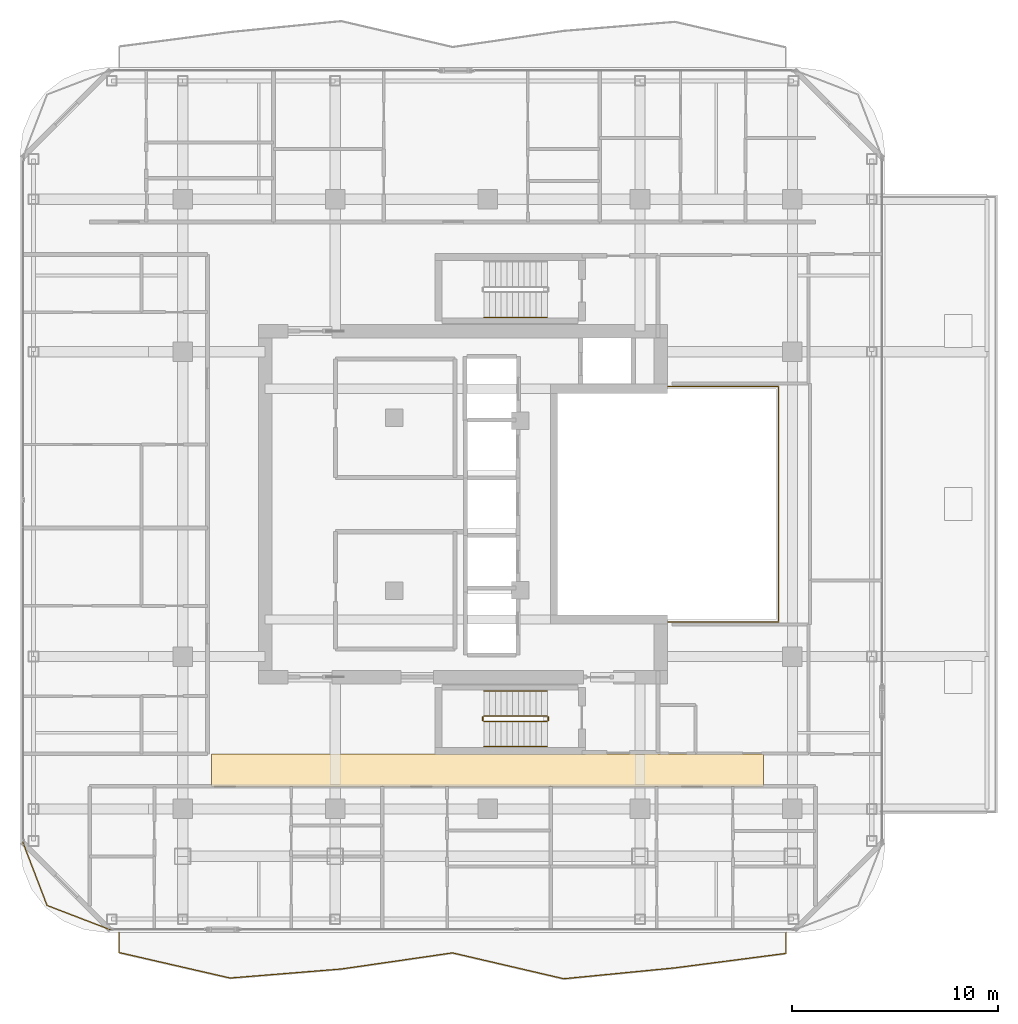
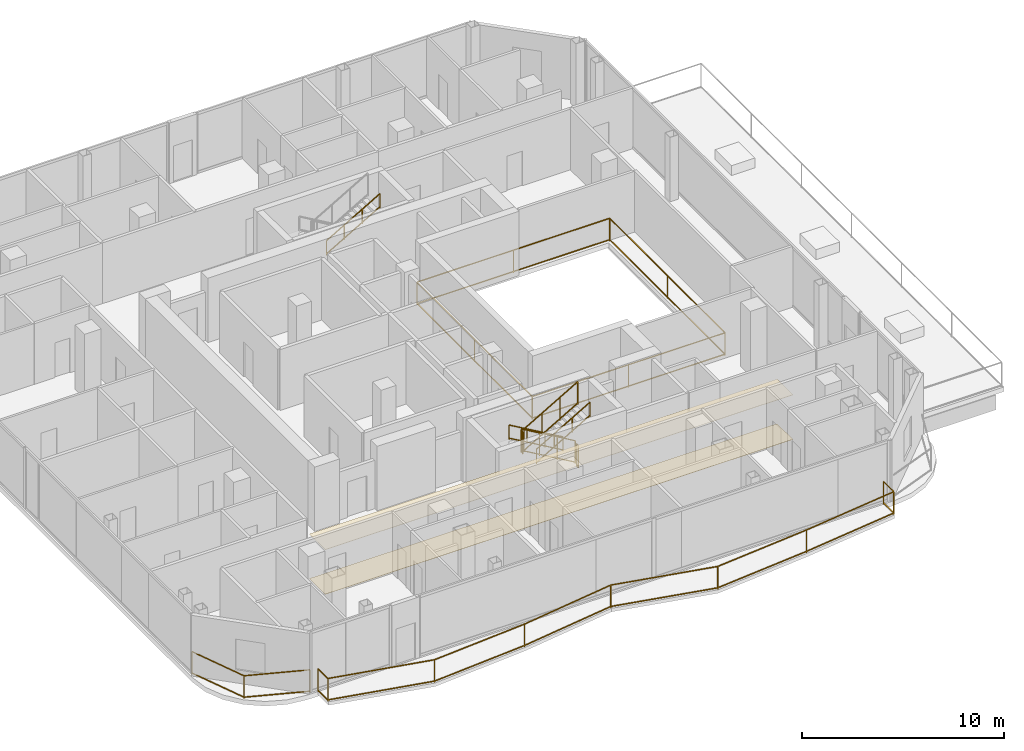
# One storey, part 22 of 24: 10 railings, 2 coverings.
"""IFC4 building model written with IfcOpenShell, lengths in metres."""

from ifc_helpers import new_model, si_unit, direction, frame, origin, origin_2d, place, context, subcontext, project, spatial, polyline, rectangle, outline, extrude, material, layer, layer_set, type_object, element, save


model = new_model("IFC4")

# Units and contexts
model_context = context("Model", 3, precision=1e-05, world=origin(), true_north=direction((0.0, 1.0)))
body_context = subcontext(model_context, "Body", "Model", "MODEL_VIEW")
ifc_project = project(units=[si_unit("LENGTHUNIT", "METRE"), si_unit("AREAUNIT", "SQUARE_METRE"), si_unit("VOLUMEUNIT", "CUBIC_METRE"), si_unit("PLANEANGLEUNIT", "RADIAN"), si_unit("MASSUNIT", "GRAM", prefix="KILO")], contexts=[model_context])

# Site, building, storey
site_placement = place(None, origin())
site = spatial("IfcSite", under=ifc_project, at=site_placement, CompositionType="ELEMENT")
building_placement = place(site_placement, origin())
building = spatial("IfcBuilding", under=site, at=building_placement, Name="Khorvyn Point Tower", CompositionType="ELEMENT")
storey_placement = place(building_placement, frame((0.0, 0.0, 285.89990234375)))
storey = spatial("IfcBuildingStorey", under=building, at=storey_placement, Name="L70", CompositionType="ELEMENT", Elevation=285.89990234375)

# Railings
ifc_material_1 = material(Name="Stainless steel 1.4401 and laminated glass", Category="steel")
railing_type_1 = type_object("IfcRailingType", Name="Crystal Atrium Smoke-Rated Perimeter Guardrail 1400", PredefinedType="GUARDRAIL", material=ifc_material_1)
railing_1_placement = place(storey_placement, frame((3.080078125, -5.719970703125, 0.0)))
element("IfcRailing", 1, at=railing_1_placement, inside=storey, type_object=railing_type_1, Name="L70 Crystal Atrium Perimeter Guardrail", PredefinedType="GUARDRAIL", context=body_context, shape_type="SweptSolid", body=[
    extrude(rectangle(XDim=0.048095703125, YDim=0.048095703125, at=origin_2d()), frame((0.0, 0.0, 1.3759765625), z_axis=(1.0, 0.0, 0.0), x_axis=(0.0, 1.0, 0.0)), (0.0, 0.0, 1.0), 11.0400390625),
    extrude(rectangle(XDim=0.048095703125, YDim=0.048095703125, at=origin_2d()), frame((0.0, 0.0, 0.080078125), z_axis=(1.0, 0.0, 0.0), x_axis=(0.0, 1.0, 0.0)), (0.0, 0.0, 1.0), 11.0400390625),
    extrude(rectangle(XDim=0.048095703125, YDim=0.048095703125, at=origin_2d()), frame((11.0400390625, 0.0, 1.3759765625), z_axis=(0.0, 1.0, 0.0), x_axis=(-1.0, 0.0, 0.0)), (0.0, 0.0, 1.0), 11.43994140625),
    extrude(rectangle(XDim=0.048095703125, YDim=0.048095703125, at=origin_2d()), frame((11.0400390625, 0.0, 0.080078125), z_axis=(0.0, 1.0, 0.0), x_axis=(-1.0, 0.0, 0.0)), (0.0, 0.0, 1.0), 11.43994140625),
    extrude(rectangle(XDim=0.048095703125, YDim=0.048095703125, at=origin_2d()), frame((11.0400390625, 11.43994140625, 1.3759765625), z_axis=(-1.0, 0.0, 0.0), x_axis=(0.0, -1.0, 0.0)), (0.0, 0.0, 1.0), 11.0400390625),
    extrude(rectangle(XDim=0.048095703125, YDim=0.048095703125, at=origin_2d()), frame((11.0400390625, 11.43994140625, 0.080078125), z_axis=(-1.0, 0.0, 0.0), x_axis=(0.0, -1.0, 0.0)), (0.0, 0.0, 1.0), 11.0400390625),
    extrude(rectangle(XDim=0.048095703125, YDim=0.048095703125, at=origin_2d()), frame((0.0, 11.43994140625, 1.3759765625), z_axis=(0.0, -1.0, 0.0), x_axis=(1.0, 0.0, 0.0)), (0.0, 0.0, 1.0), 11.409912109375),
    extrude(rectangle(XDim=0.048095703125, YDim=0.048095703125, at=origin_2d()), frame((0.0, 11.43994140625, 0.080078125), z_axis=(0.0, -1.0, 0.0), x_axis=(1.0, 0.0, 0.0)), (0.0, 0.0, 1.0), 11.409912109375),
    extrude(rectangle(XDim=0.0419921875, YDim=0.0419921875, at=origin_2d()), origin(), (0.0, 0.0, 1.0), 1.351806640625),
    extrude(rectangle(XDim=0.0419921875, YDim=0.0419921875, at=origin_2d()), frame((5.52001953125, 0.0, 0.0)), (0.0, 0.0, 1.0), 1.351806640625),
    extrude(rectangle(XDim=0.0419921875, YDim=0.0419921875, at=origin_2d()), frame((11.0400390625, 0.0, 0.0)), (0.0, 0.0, 1.0), 1.351806640625),
    extrude(rectangle(XDim=0.0419921875, YDim=0.0419921875, at=origin_2d()), frame((11.0400390625, 5.719970703125, 0.0)), (0.0, 0.0, 1.0), 1.351806640625),
    extrude(rectangle(XDim=0.0419921875, YDim=0.0419921875, at=origin_2d()), frame((11.0400390625, 11.43994140625, 0.0)), (0.0, 0.0, 1.0), 1.351806640625),
    extrude(rectangle(XDim=0.0419921875, YDim=0.0419921875, at=origin_2d()), frame((5.52001953125, 11.43994140625, 0.0)), (0.0, 0.0, 1.0), 1.351806640625),
    extrude(rectangle(XDim=0.0419921875, YDim=0.0419921875, at=origin_2d()), frame((0.0, 11.43994140625, 0.0)), (0.0, 0.0, 1.0), 1.351806640625),
    extrude(rectangle(XDim=0.0419921875, YDim=0.0419921875, at=origin_2d()), frame((0.0, 5.73486328125, 0.0)), (0.0, 0.0, 1.0), 1.351806640625),
    extrude(rectangle(XDim=0.0419921875, YDim=0.0419921875, at=origin_2d()), frame((0.0, 0.030029296875, 0.0)), (0.0, 0.0, 1.0), 1.351806640625),
])
ifc_material_2 = material(Name="Anodised aluminium 6063-T6 and laminated safety glass", Category="aluminium")
railing_type_2 = type_object("IfcRailingType", Name="Laminated Glass and Aluminium Balcony Guardrail 1400", PredefinedType="BALUSTRADE", material=ifc_material_2)
railing_2_placement = place(storey_placement, frame((-22.574462890625, -16.386474609375, 0.0)))
element("IfcRailing", 2, at=railing_2_placement, inside=storey, type_object=railing_type_2, Name="L70 Rounded Corner Edge Guardrail SW", PredefinedType="BALUSTRADE", context=body_context, shape_type="SweptSolid", body=[
    extrude(rectangle(XDim=0.048095703125, YDim=0.048095703125, at=origin_2d()), frame((0.0, 0.0, 1.3759765625), z_axis=(0.358367799998, -0.933580483903, 0.0), x_axis=(0.933580483903, 0.358367799998, 0.0)), (0.0, 0.0, 1.0), 3.319091796875),
    extrude(rectangle(XDim=0.048095703125, YDim=0.048095703125, at=origin_2d()), frame((0.0, 0.0, 0.080078125), z_axis=(0.358367799998, -0.933580483903, 0.0), x_axis=(0.933580483903, 0.358367799998, 0.0)), (0.0, 0.0, 1.0), 3.319091796875),
    extrude(rectangle(XDim=0.048095703125, YDim=0.048095703125, at=origin_2d()), frame((1.189453125, -3.0986328125, 1.3759765625), z_axis=(0.933595647299, -0.358328295484, 0.0), x_axis=(0.358328295484, 0.933595647299, 0.0)), (0.0, 0.0, 1.0), 3.31884765625),
    extrude(rectangle(XDim=0.048095703125, YDim=0.048095703125, at=origin_2d()), frame((1.189453125, -3.0986328125, 0.080078125), z_axis=(0.933595647299, -0.358328295484, 0.0), x_axis=(0.358328295484, 0.933595647299, 0.0)), (0.0, 0.0, 1.0), 3.31884765625),
    extrude(rectangle(XDim=0.0419921875, YDim=0.0419921875, at=origin_2d()), origin(), (0.0, 0.0, 1.0), 1.351806640625),
    extrude(rectangle(XDim=0.0419921875, YDim=0.0419921875, at=origin_2d()), frame((1.189453125, -3.0986328125, 0.0)), (0.0, 0.0, 1.0), 1.351806640625),
    extrude(rectangle(XDim=0.0419921875, YDim=0.0419921875, at=origin_2d()), frame((4.287841796875, -4.287841796875, 0.0)), (0.0, 0.0, 1.0), 1.351806640625),
])
railing_3_placement = place(storey_placement, frame((-17.89990234375, -20.800048828125, 0.0)))
element("IfcRailing", 3, at=railing_3_placement, inside=storey, type_object=railing_type_2, Name="L70 South Balcony Guardrail", PredefinedType="BALUSTRADE", context=body_context, shape_type="SweptSolid", body=[
    extrude(rectangle(XDim=0.048095703125, YDim=0.048095703125, at=origin_2d()), frame((0.0, 0.0, 1.3759765625), z_axis=(0.0, -1.0, 0.0), x_axis=(1.0, 0.0, 0.0)), (0.0, 0.0, 1.0), 0.968017578125),
    extrude(rectangle(XDim=0.048095703125, YDim=0.048095703125, at=origin_2d()), frame((0.0, 0.0, 0.080078125), z_axis=(0.0, -1.0, 0.0), x_axis=(1.0, 0.0, 0.0)), (0.0, 0.0, 1.0), 0.968017578125),
    extrude(rectangle(XDim=0.048095703125, YDim=0.048095703125, at=origin_2d()), frame((0.0, -0.968017578125, 1.3759765625), z_axis=(0.974604637949, -0.223932578445, 0.0), x_axis=(0.223932578445, 0.974604637949, 0.0)), (0.0, 0.0, 1.0), 5.54052734375),
    extrude(rectangle(XDim=0.048095703125, YDim=0.048095703125, at=origin_2d()), frame((0.0, -0.968017578125, 0.080078125), z_axis=(0.974604637949, -0.223932578445, 0.0), x_axis=(0.223932578445, 0.974604637949, 0.0)), (0.0, 0.0, 1.0), 5.54052734375),
    extrude(rectangle(XDim=0.048095703125, YDim=0.048095703125, at=origin_2d()), frame((5.39990234375, -2.208740234375, 1.3759765625), z_axis=(0.996726693111, 0.080844908556, 0.0), x_axis=(-0.080844908556, 0.996726693111, 0.0)), (0.0, 0.0, 1.0), 5.417724609375),
    extrude(rectangle(XDim=0.048095703125, YDim=0.048095703125, at=origin_2d()), frame((5.39990234375, -2.208740234375, 0.080078125), z_axis=(0.996726693111, 0.080844908556, 0.0), x_axis=(-0.080844908556, 0.996726693111, 0.0)), (0.0, 0.0, 1.0), 5.417724609375),
    extrude(rectangle(XDim=0.048095703125, YDim=0.048095703125, at=origin_2d()), frame((10.7998046875, -1.770751953125, 1.3759765625), z_axis=(0.98964568276, 0.143531956702, 0.0), x_axis=(-0.143531956702, 0.98964568276, 0.0)), (0.0, 0.0, 1.0), 5.45654296875),
    extrude(rectangle(XDim=0.048095703125, YDim=0.048095703125, at=origin_2d()), frame((10.7998046875, -1.770751953125, 0.080078125), z_axis=(0.98964568276, 0.143531956702, 0.0), x_axis=(-0.143531956702, 0.98964568276, 0.0)), (0.0, 0.0, 1.0), 5.45654296875),
    extrude(rectangle(XDim=0.048095703125, YDim=0.048095703125, at=origin_2d()), frame((16.199951171875, -0.987548828125, 1.3759765625), z_axis=(0.973985880172, -0.226608705098, 0.0), x_axis=(0.226608705098, 0.973985880172, 0.0)), (0.0, 0.0, 1.0), 5.544189453125),
    extrude(rectangle(XDim=0.048095703125, YDim=0.048095703125, at=origin_2d()), frame((16.199951171875, -0.987548828125, 0.080078125), z_axis=(0.973985880172, -0.226608705098, 0.0), x_axis=(0.226608705098, 0.973985880172, 0.0)), (0.0, 0.0, 1.0), 5.544189453125),
    extrude(rectangle(XDim=0.048095703125, YDim=0.048095703125, at=origin_2d()), frame((21.599853515625, -2.243896484375, 1.3759765625), z_axis=(0.995226468805, 0.097592396168, 0.0), x_axis=(-0.097592396168, 0.995226468805, 0.0)), (0.0, 0.0, 1.0), 5.426025390625),
    extrude(rectangle(XDim=0.048095703125, YDim=0.048095703125, at=origin_2d()), frame((21.599853515625, -2.243896484375, 0.080078125), z_axis=(0.995226468805, 0.097592396168, 0.0), x_axis=(-0.097592396168, 0.995226468805, 0.0)), (0.0, 0.0, 1.0), 5.426025390625),
    extrude(rectangle(XDim=0.048095703125, YDim=0.048095703125, at=origin_2d()), frame((27.0, -1.71435546875, 1.3759765625), z_axis=(0.991634626797, 0.129076593297, 0.0), x_axis=(-0.129076593297, 0.991634626797, 0.0)), (0.0, 0.0, 1.0), 5.445556640625),
    extrude(rectangle(XDim=0.048095703125, YDim=0.048095703125, at=origin_2d()), frame((27.0, -1.71435546875, 0.080078125), z_axis=(0.991634626797, 0.129076593297, 0.0), x_axis=(-0.129076593297, 0.991634626797, 0.0)), (0.0, 0.0, 1.0), 5.445556640625),
    extrude(rectangle(XDim=0.048095703125, YDim=0.048095703125, at=origin_2d()), frame((32.39990234375, -1.011474609375, 1.3759765625), z_axis=(0.0, 1.0, 0.0), x_axis=(-1.0, 0.0, 0.0)), (0.0, 0.0, 1.0), 1.011474609375),
    extrude(rectangle(XDim=0.048095703125, YDim=0.048095703125, at=origin_2d()), frame((32.39990234375, -1.011474609375, 0.080078125), z_axis=(0.0, 1.0, 0.0), x_axis=(-1.0, 0.0, 0.0)), (0.0, 0.0, 1.0), 1.011474609375),
    extrude(rectangle(XDim=0.0419921875, YDim=0.0419921875, at=origin_2d()), origin(), (0.0, 0.0, 1.0), 1.351806640625),
    extrude(rectangle(XDim=0.0419921875, YDim=0.0419921875, at=origin_2d()), frame((0.0, -0.968017578125, 0.0)), (0.0, 0.0, 1.0), 1.351806640625),
    extrude(rectangle(XDim=0.0419921875, YDim=0.0419921875, at=origin_2d()), frame((5.39990234375, -2.208740234375, 0.0)), (0.0, 0.0, 1.0), 1.351806640625),
    extrude(rectangle(XDim=0.0419921875, YDim=0.0419921875, at=origin_2d()), frame((10.7998046875, -1.770751953125, 0.0)), (0.0, 0.0, 1.0), 1.351806640625),
    extrude(rectangle(XDim=0.0419921875, YDim=0.0419921875, at=origin_2d()), frame((16.199951171875, -0.987548828125, 0.0)), (0.0, 0.0, 1.0), 1.351806640625),
    extrude(rectangle(XDim=0.0419921875, YDim=0.0419921875, at=origin_2d()), frame((21.599853515625, -2.243896484375, 0.0)), (0.0, 0.0, 1.0), 1.351806640625),
    extrude(rectangle(XDim=0.0419921875, YDim=0.0419921875, at=origin_2d()), frame((27.0, -1.71435546875, 0.0)), (0.0, 0.0, 1.0), 1.351806640625),
    extrude(rectangle(XDim=0.0419921875, YDim=0.0419921875, at=origin_2d()), frame((32.39990234375, -1.011474609375, 0.0)), (0.0, 0.0, 1.0), 1.351806640625),
    extrude(rectangle(XDim=0.0419921875, YDim=0.0419921875, at=origin_2d()), frame((32.39990234375, 0.0, 0.0)), (0.0, 0.0, 1.0), 1.351806640625),
])

# Coverings
ifc_material_3 = material(Name="Mineral-fibre acoustic ceiling board", Category="gypsum")
ifc_layer_1 = layer(ifc_material_3, 0.02001953125)
ifc_layer_set_1 = layer_set([ifc_layer_1], Name="Perforated Mineral-Fibre Acoustic Suspended Ceiling 20")
covering_type_1 = type_object("IfcCoveringType", Name="Perforated Mineral-Fibre Acoustic Suspended Ceiling 20", PredefinedType="CEILING", material=ifc_layer_set_1)
covering_1_placement = place(storey_placement, frame((0.0, 0.0, 2.7001953125)))
element("IfcCovering", 4, at=covering_1_placement, inside=storey, type_object=covering_type_1, Name="L70 South Corridor Acoustic Ceiling", PredefinedType="CEILING", context=body_context, shape_type="SweptSolid", body=[
    extrude(outline(polyline([(-13.39990234375, -13.7099609375), (13.39990234375, -13.7099609375), (13.39990234375, -12.139892578125), (-13.39990234375, -12.139892578125), (-13.39990234375, -13.7099609375)])), origin(), (0.0, 0.0, 1.0), 0.02001953125),
])
ifc_material_4 = material(Name="Vitrified porcelain terrazzo tile", Category="ceramic")
ifc_layer_2 = layer(ifc_material_4, 0.01806640625)
ifc_layer_set_2 = layer_set([ifc_layer_2], Name="Porcelain Terrazzo Corridor Floor Finish Tile 18")
covering_type_2 = type_object("IfcCoveringType", Name="Porcelain Terrazzo Corridor Floor Finish Tile 18", PredefinedType="FLOORING", material=ifc_layer_set_2)
covering_2_placement = place(storey_placement, origin())
element("IfcCovering", 5, at=covering_2_placement, inside=storey, type_object=covering_type_2, Name="L70 South Corridor Terrazzo Flooring", PredefinedType="FLOORING", context=body_context, shape_type="SweptSolid", body=[
    extrude(outline(polyline([(-13.39990234375, -13.7099609375), (13.39990234375, -13.7099609375), (13.39990234375, -12.139892578125), (-13.39990234375, -12.139892578125), (-13.39990234375, -13.7099609375)])), origin(), (0.0, 0.0, 1.0), 0.01806640625),
])

# Railings
ifc_material_5 = material(Name="Stainless steel 1.4301", Category="steel")
railing_type_3 = type_object("IfcRailingType", Name="Stainless Steel 304 Stair Pitch Handrail 900", PredefinedType="HANDRAIL", material=ifc_material_5)
railing_4_placement = place(storey_placement, frame((2.89990234375, -9.070068359375, 0.16259765625)))
element("IfcRailing", 6, at=railing_4_placement, inside=storey, type_object=railing_type_3, Name="L70 ST-01 stair handrail 1", PredefinedType="HANDRAIL", context=body_context, shape_type="SweptSolid", body=[
    extrude(rectangle(XDim=0.048095703125, YDim=0.048095703125, at=origin_2d()), frame((0.0, 0.0, 0.8759765625), z_axis=(-0.864873446163, 0.0, 0.501989962173), x_axis=(0.0, -1.0, 0.0)), (0.0, 0.0, 1.0), 3.56103515625),
    extrude(rectangle(XDim=0.048095703125, YDim=0.048095703125, at=origin_2d()), frame((0.0, 0.0, 0.080078125), z_axis=(-0.864873446163, 0.0, 0.501989962173), x_axis=(0.0, -1.0, 0.0)), (0.0, 0.0, 1.0), 3.56103515625),
    extrude(rectangle(XDim=0.0419921875, YDim=0.0419921875, at=origin_2d()), origin(), (0.0, 0.0, 1.0), 0.851806640625),
    extrude(rectangle(XDim=0.0419921875, YDim=0.0419921875, at=origin_2d()), frame((-1.026611328125, 0.0, 0.595947265625)), (0.0, 0.0, 1.0), 0.851806640625),
    extrude(rectangle(XDim=0.0419921875, YDim=0.0419921875, at=origin_2d()), frame((-2.05322265625, 0.0, 1.191650390625)), (0.0, 0.0, 1.0), 0.851806640625),
    extrude(rectangle(XDim=0.0419921875, YDim=0.0419921875, at=origin_2d()), frame((-3.079833984375, 0.0, 1.78759765625)), (0.0, 0.0, 1.0), 0.851806640625),
])
for number, where, name in (
    (7, (-0.179931640625, -11.77001953125, 2.112548828125), "L70 ST-01 stair handrail 2"),
    (8, (-0.179931640625, 9.070068359375, 2.112548828125), "L70 ST-02 stair handrail 2"),
):
    element("IfcRailing", number, at=place(storey_placement, frame(where)), inside=storey, type_object=railing_type_3, Name=name, PredefinedType="HANDRAIL", context=body_context, shape_type="SweptSolid", body=[
        extrude(rectangle(XDim=0.048095703125, YDim=0.048095703125, at=origin_2d()), frame((0.0, 0.0, 0.8759765625), z_axis=(0.864873446163, 0.0, 0.501989962173), x_axis=(0.0, 1.0, 0.0)), (0.0, 0.0, 1.0), 3.56103515625),
        extrude(rectangle(XDim=0.048095703125, YDim=0.048095703125, at=origin_2d()), frame((0.0, 0.0, 0.080078125), z_axis=(0.864873446163, 0.0, 0.501989962173), x_axis=(0.0, 1.0, 0.0)), (0.0, 0.0, 1.0), 3.56103515625),
        extrude(rectangle(XDim=0.0419921875, YDim=0.0419921875, at=origin_2d()), origin(), (0.0, 0.0, 1.0), 0.851806640625),
        extrude(rectangle(XDim=0.0419921875, YDim=0.0419921875, at=origin_2d()), frame((1.026611328125, 0.0, 0.595947265625)), (0.0, 0.0, 1.0), 0.851806640625),
        extrude(rectangle(XDim=0.0419921875, YDim=0.0419921875, at=origin_2d()), frame((2.05322265625, 0.0, 1.191650390625)), (0.0, 0.0, 1.0), 0.851806640625),
        extrude(rectangle(XDim=0.0419921875, YDim=0.0419921875, at=origin_2d()), frame((3.079833984375, 0.0, 1.78759765625)), (0.0, 0.0, 1.0), 0.851806640625),
    ])
railing_type_4 = type_object("IfcRailingType", Name="Stainless Steel 304 Stair Well Guardrail 1400", PredefinedType="GUARDRAIL", material=ifc_material_5)
railing_5_placement = place(storey_placement, frame((2.89990234375, -10.2900390625, 0.16259765625)))
element("IfcRailing", 9, at=railing_5_placement, inside=storey, type_object=railing_type_4, Name="L70 ST-01 stair guard 1", PredefinedType="GUARDRAIL", context=body_context, shape_type="SweptSolid", body=[
    extrude(rectangle(XDim=0.048095703125, YDim=0.048095703125, at=origin_2d()), frame((0.0, 0.0, 1.3759765625), z_axis=(-0.864873446163, 0.0, 0.501989962173), x_axis=(0.0, -1.0, 0.0)), (0.0, 0.0, 1.0), 3.56103515625),
    extrude(rectangle(XDim=0.048095703125, YDim=0.048095703125, at=origin_2d()), frame((0.0, 0.0, 0.080078125), z_axis=(-0.864873446163, 0.0, 0.501989962173), x_axis=(0.0, -1.0, 0.0)), (0.0, 0.0, 1.0), 3.56103515625),
    extrude(rectangle(XDim=0.0419921875, YDim=0.0419921875, at=origin_2d()), origin(), (0.0, 0.0, 1.0), 1.351806640625),
    extrude(rectangle(XDim=0.0419921875, YDim=0.0419921875, at=origin_2d()), frame((-1.026611328125, 0.0, 0.595947265625)), (0.0, 0.0, 1.0), 1.351806640625),
    extrude(rectangle(XDim=0.0419921875, YDim=0.0419921875, at=origin_2d()), frame((-2.05322265625, 0.0, 1.191650390625)), (0.0, 0.0, 1.0), 1.351806640625),
    extrude(rectangle(XDim=0.0419921875, YDim=0.0419921875, at=origin_2d()), frame((-3.079833984375, 0.0, 1.78759765625)), (0.0, 0.0, 1.0), 1.351806640625),
])
railing_6_placement = place(storey_placement, frame((-0.22998046875, -10.340087890625, 1.9501953125)))
element("IfcRailing", 10, at=railing_6_placement, inside=storey, type_object=railing_type_4, Name="L70 ST-01 stair guard 2", PredefinedType="GUARDRAIL", context=body_context, shape_type="SweptSolid", body=[
    extrude(rectangle(XDim=0.048095703125, YDim=0.048095703125, at=origin_2d()), frame((0.0, 0.0, 1.3759765625), z_axis=(0.0, -1.0, 0.0), x_axis=(1.0, 0.0, 0.0)), (0.0, 0.0, 1.0), 0.159912109375),
    extrude(rectangle(XDim=0.048095703125, YDim=0.048095703125, at=origin_2d()), frame((0.0, 0.0, 0.080078125), z_axis=(0.0, -1.0, 0.0), x_axis=(1.0, 0.0, 0.0)), (0.0, 0.0, 1.0), 0.159912109375),
    extrude(rectangle(XDim=0.0419921875, YDim=0.0419921875, at=origin_2d()), origin(), (0.0, 0.0, 1.0), 1.351806640625),
    extrude(rectangle(XDim=0.0419921875, YDim=0.0419921875, at=origin_2d()), frame((0.0, -0.159912109375, 0.0)), (0.0, 0.0, 1.0), 1.351806640625),
])
railing_7_placement = place(storey_placement, frame((-0.179931640625, -10.550048828125, 2.112548828125)))
element("IfcRailing", 11, at=railing_7_placement, inside=storey, type_object=railing_type_4, Name="L70 ST-01 stair guard 3", PredefinedType="GUARDRAIL", context=body_context, shape_type="SweptSolid", body=[
    extrude(rectangle(XDim=0.048095703125, YDim=0.048095703125, at=origin_2d()), frame((0.0, 0.0, 1.3759765625), z_axis=(0.864873446163, 0.0, 0.501989962173), x_axis=(0.0, 1.0, 0.0)), (0.0, 0.0, 1.0), 3.56103515625),
    extrude(rectangle(XDim=0.048095703125, YDim=0.048095703125, at=origin_2d()), frame((0.0, 0.0, 0.080078125), z_axis=(0.864873446163, 0.0, 0.501989962173), x_axis=(0.0, 1.0, 0.0)), (0.0, 0.0, 1.0), 3.56103515625),
    extrude(rectangle(XDim=0.0419921875, YDim=0.0419921875, at=origin_2d()), origin(), (0.0, 0.0, 1.0), 1.351806640625),
    extrude(rectangle(XDim=0.0419921875, YDim=0.0419921875, at=origin_2d()), frame((1.026611328125, 0.0, 0.595947265625)), (0.0, 0.0, 1.0), 1.351806640625),
    extrude(rectangle(XDim=0.0419921875, YDim=0.0419921875, at=origin_2d()), frame((2.05322265625, 0.0, 1.191650390625)), (0.0, 0.0, 1.0), 1.351806640625),
    extrude(rectangle(XDim=0.0419921875, YDim=0.0419921875, at=origin_2d()), frame((3.079833984375, 0.0, 1.78759765625)), (0.0, 0.0, 1.0), 1.351806640625),
])
railing_8_placement = place(storey_placement, frame((2.949951171875, -10.340087890625, 0.0)))
element("IfcRailing", 12, at=railing_8_placement, inside=storey, type_object=railing_type_4, Name="L70 ST-01 stair guard 4", PredefinedType="GUARDRAIL", context=body_context, shape_type="SweptSolid", body=[
    extrude(rectangle(XDim=0.048095703125, YDim=0.048095703125, at=origin_2d()), frame((0.0, 0.0, 1.3759765625), z_axis=(0.0, -1.0, 0.0), x_axis=(1.0, 0.0, 0.0)), (0.0, 0.0, 1.0), 0.159912109375),
    extrude(rectangle(XDim=0.048095703125, YDim=0.048095703125, at=origin_2d()), frame((0.0, 0.0, 0.080078125), z_axis=(0.0, -1.0, 0.0), x_axis=(1.0, 0.0, 0.0)), (0.0, 0.0, 1.0), 0.159912109375),
    extrude(rectangle(XDim=0.0419921875, YDim=0.0419921875, at=origin_2d()), origin(), (0.0, 0.0, 1.0), 1.351806640625),
    extrude(rectangle(XDim=0.0419921875, YDim=0.0419921875, at=origin_2d()), frame((0.0, -0.159912109375, 0.0)), (0.0, 0.0, 1.0), 1.351806640625),
])

save(model, "model.ifc")
